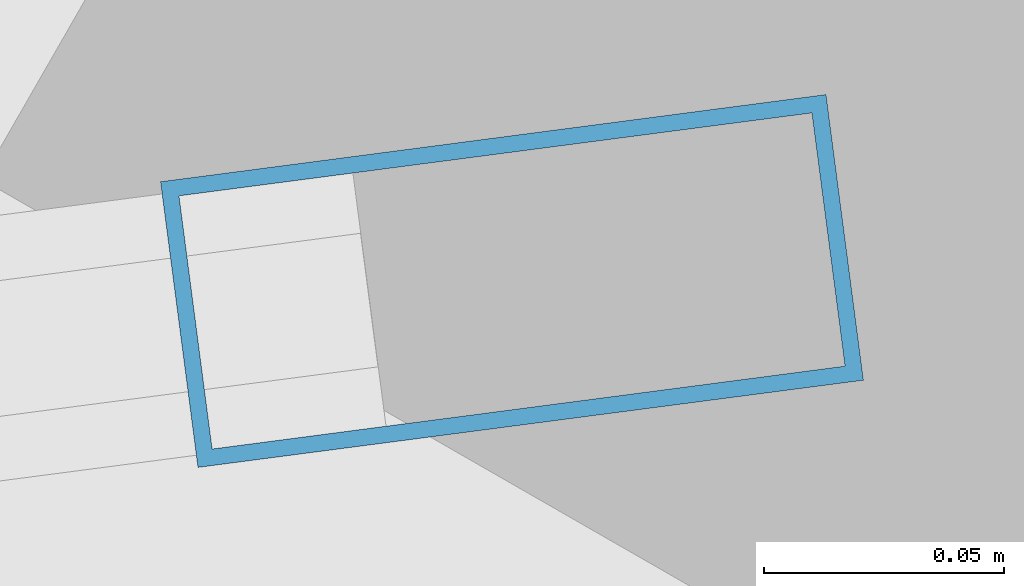
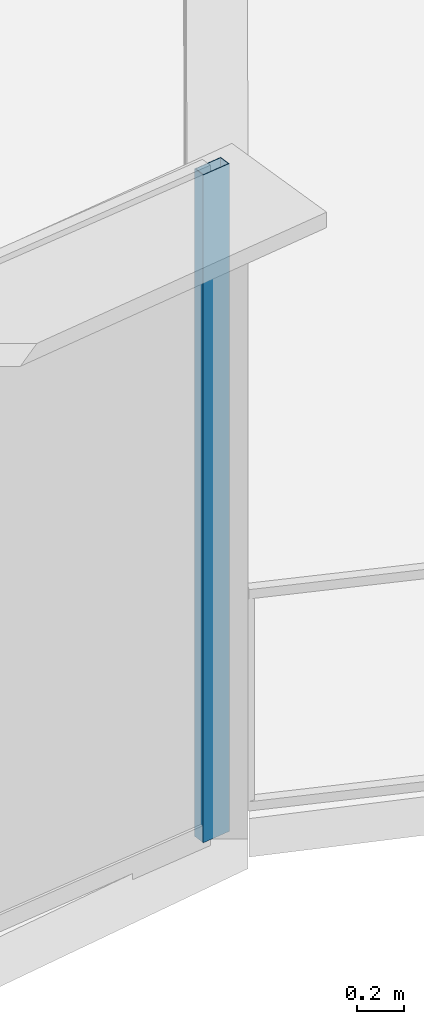
# One storey, part 13 of 35: 1 member, 1 element without a shape of its own.
"""IFC4 building model written with IfcOpenShell, lengths in metres."""

from ifc_helpers import new_model, si_unit, direction, frame, origin, origin_2d, place, context, subcontext, project, spatial, hollow_rectangle, extrude, source, transform, mapped, material, layer, layer_set, material_profile, profile_set, type_object, element, aggregate, save


model = new_model("IFC4")

# Units and contexts
model_context = context("Model", 3, precision=1e-05, world=origin(), true_north=direction((0.0, 1.0)))
body_context = subcontext(model_context, "Body", "Model", "MODEL_VIEW")
ifc_project = project(units=[si_unit("LENGTHUNIT", "METRE"), si_unit("AREAUNIT", "SQUARE_METRE"), si_unit("VOLUMEUNIT", "CUBIC_METRE"), si_unit("PLANEANGLEUNIT", "RADIAN"), si_unit("MASSUNIT", "GRAM", prefix="KILO"), si_unit("THERMODYNAMICTEMPERATUREUNIT", "KELVIN"), si_unit("POWERUNIT", "WATT")], contexts=[model_context])

# Site, building, storey
site_placement = place(None, origin())
site = spatial("IfcSite", under=ifc_project, at=site_placement, CompositionType="ELEMENT")
building_placement = place(site_placement, origin())
building = spatial("IfcBuilding", under=site, at=building_placement, Name="Yunzhuo Pagoda Commons", CompositionType="ELEMENT")
storey_placement = place(building_placement, frame((0.0, 0.0, 299.93994140625)))
storey = spatial("IfcBuildingStorey", under=building, at=storey_placement, Name="L75", CompositionType="ELEMENT", Elevation=299.93994140625)

# Curtain wall, member
ifc_material = material(Name="Anodized aluminium 6063-T6", Category="aluminium")
ifc_layer = layer(ifc_material, 0.139892578125)
ifc_layer_set = layer_set([ifc_layer], Name="Anodized aluminium 6063-T6")
curtain_wall_type = type_object("IfcCurtainWallType", Name="CW-HI High-Zone Ribbon Curtain Wall", PredefinedType="NOTDEFINED", material=ifc_layer_set)
curtain_wall_placement = place(storey_placement, origin())
curtain_wall = element("IfcCurtainWall", 1, at=curtain_wall_placement, inside=storey, type_object=curtain_wall_type, Name="L75 curtain wall CW-L75-F1B5", PredefinedType="NOTDEFINED")
ifc_material_profile = material_profile(ifc_material, hollow_rectangle(XDim=0.06005859375, YDim=0.139892578125, WallThickness=0.00341796875, at=origin_2d()), Name="Anodized aluminium 6063-T6")
ifc_profile_set = profile_set([ifc_material_profile], Name="Anodized aluminium 6063-T6")
member_type = type_object("IfcMemberType", Name="CW-HI-M Mullion RHS 140x60x3.5", PredefinedType="MULLION", material=ifc_profile_set)
shared_shape = source(origin(), body_context, "Body", "SweptSolid", [
    extrude(hollow_rectangle(XDim=0.06005859375, YDim=0.139892578125, WallThickness=0.00341796875, at=origin_2d()), origin(), (0.0, 0.0, 1.0), 3.469970703125),
])
member_placement = place(storey_placement, frame((75.337158203125, 22.013916015625, 0.0), z_axis=(0.0, 0.0, 1.0), x_axis=(-0.129855071238, 0.991532985066, 0.0)))
member = element("IfcMember", 2, at=member_placement, type_object=member_type, Name="CW mullion 2", PredefinedType="MULLION", context=body_context, shape_type="MappedRepresentation", body=[
    mapped(shared_shape, transform((0.0, 0.0, 0.0), scale=1.0)),
])
aggregate(curtain_wall, [member])

save(model, "model.ifc")
